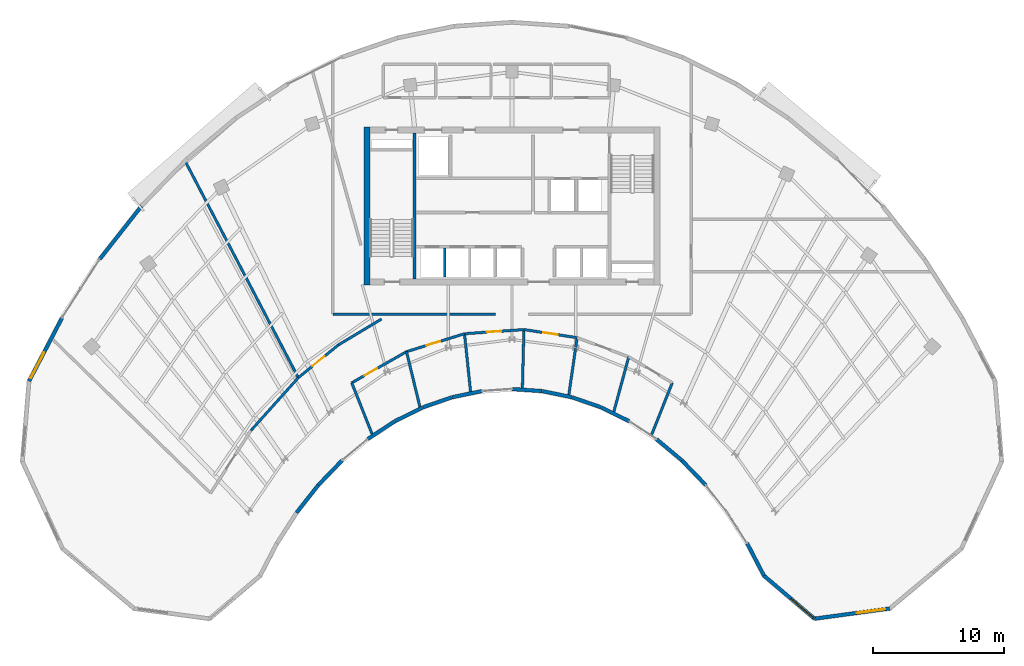
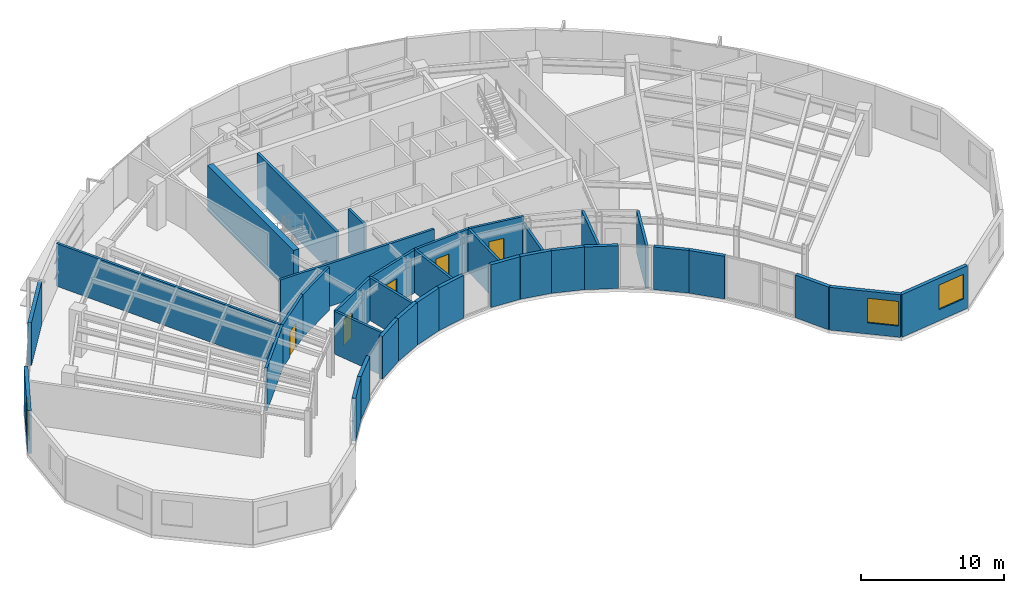
# One storey, part 8 of 13: 36 walls, 5 doors, 3 windows, 8 openings.
"""IFC4 building model written with IfcOpenShell, lengths in metres."""

import ifcopenshell
import ifcopenshell.guid

model = None  # the IFC model being written
_history = None  # IfcOwnerHistory: only IFC2X3 demands one
_inside = {}  # id of a spatial element -> (the spatial element, [elements in it])
_under = {}  # id of a project, library or spatial element -> (it, [spatial elements below it])
_declared = {}  # id of a project -> (the project, [libraries it declares])
_typed = {}  # id of a type object -> (the type object, [elements of that type])
_made_of = {}  # id of a material, layer set ... -> (it, [elements and type objects made of it])


def new_model(schema):
    """Start an empty IFC model of exactly this schema.

    Asked for "IFC4X3", IfcOpenShell would pick the latest addendum, in which some entities
    have other attributes; the version numbers below select the first issue.
    IFC2X3 requires an IfcOwnerHistory on every rooted entity: one is made here for all.
    """
    global model, _history
    if schema == "IFC4X3":
        model = ifcopenshell.file(schema_version=(4, 3, 0, 0))
    else:
        model = ifcopenshell.file(schema=schema)
    _inside.clear()
    _under.clear()
    _declared.clear()
    _typed.clear()
    _made_of.clear()
    _history = None
    if model.schema == "IFC2X3":
        org = make("IfcOrganization", Name="unknown")
        user = make(
            "IfcPersonAndOrganization",
            ThePerson=make("IfcPerson", FamilyName="unknown"),
            TheOrganization=org,
        )
        app = make(
            "IfcApplication",
            ApplicationDeveloper=org,
            Version="unknown",
            ApplicationFullName="unknown",
            ApplicationIdentifier="unknown",
        )
        _history = make(
            "IfcOwnerHistory",
            OwningUser=user,
            OwningApplication=app,
            ChangeAction="ADDED",
            CreationDate=0,
        )
    return model


def make(cls, **values):
    """One entity of the class cls with the attributes given. An attribute that is None is left unset."""
    return model.create_entity(
        cls, **{name: value for name, value in values.items() if value is not None}
    )


def rooted(cls, **values):
    """An entity with a GlobalId (a new one), such as an element, a storey or a relation."""
    return make(cls, GlobalId=ifcopenshell.guid.new(), OwnerHistory=_history, **values)


def si_unit(unit_type, name, prefix=None):
    """IfcSIUnit, for example si_unit("LENGTHUNIT", "METRE", prefix="MILLI")."""
    return make("IfcSIUnit", UnitType=unit_type, Prefix=prefix, Name=name)


def assignment(units):
    """IfcUnitAssignment: the units of a project."""
    return None if units is None else make("IfcUnitAssignment", Units=units)


def point(xyz):
    """IfcCartesianPoint."""
    return None if xyz is None else make("IfcCartesianPoint", Coordinates=xyz)


def direction(xyz):
    """IfcDirection."""
    return None if xyz is None else make("IfcDirection", DirectionRatios=xyz)


def frame(location, z_axis=None, x_axis=None):
    """IfcAxis2Placement3D, a coordinate frame: its origin and axes. An axis left out is left unset."""
    return make(
        "IfcAxis2Placement3D",
        Location=point(location),
        Axis=direction(z_axis),
        RefDirection=direction(x_axis),
    )


def frame_2d(location, x_axis=None):
    """IfcAxis2Placement2D, a coordinate frame in the plane: its origin and x axis."""
    return make(
        "IfcAxis2Placement2D", Location=point(location), RefDirection=direction(x_axis)
    )


def origin():
    """The frame at (0, 0, 0) with its axes left unset."""
    return frame((0.0, 0.0, 0.0))


def place(relative_to, where):
    """IfcLocalPlacement: puts the frame where relative to a parent placement (None: the world)."""
    return make(
        "IfcLocalPlacement", PlacementRelTo=relative_to, RelativePlacement=where
    )


def context(
    kind, dimensions, precision=None, world=None, true_north=None, identifier=None
):
    """IfcGeometricRepresentationContext, for example the 3D "Model" context."""
    return make(
        "IfcGeometricRepresentationContext",
        ContextIdentifier=identifier,
        ContextType=kind,
        CoordinateSpaceDimension=dimensions,
        Precision=precision,
        WorldCoordinateSystem=world,
        TrueNorth=true_north,
    )


def subcontext(parent, identifier, kind, view, scale=None):
    """IfcGeometricRepresentationSubContext, for example "Body" below "Model"."""
    return make(
        "IfcGeometricRepresentationSubContext",
        ContextIdentifier=identifier,
        ContextType=kind,
        ParentContext=parent,
        TargetScale=scale,
        TargetView=view,
    )


def project(units=None, contexts=None):
    """IfcProject with its units and contexts."""
    return rooted(
        "IfcProject",
        Name="project",
        RepresentationContexts=contexts,
        UnitsInContext=assignment(units),
    )


def spatial(cls, under=None, at=None, **own):
    """A site, building, storey or space (cls), placed at a placement, below another one or the project."""
    s = rooted(cls, ObjectPlacement=at, **own)
    if under is not None:
        _under.setdefault(under.id(), (under, []))[1].append(s)
    return s


def profile(cls, at=None, kind="AREA", **sizes):
    """A parametric profile (cls). Its sizes go by their IFC names, for example OverallWidth=200.0."""
    return make(cls, ProfileType=kind, Position=at, **sizes)


def rectangle(**sizes):
    """IfcRectangleProfileDef."""
    return profile("IfcRectangleProfileDef", **sizes)


def extrude(swept, where, along, depth):
    """IfcExtrudedAreaSolid: the profile swept, set in the frame where, extruded along a direction by depth."""
    return make(
        "IfcExtrudedAreaSolid",
        SweptArea=swept,
        Position=where,
        ExtrudedDirection=direction(along),
        Depth=depth,
    )


def shape(context_of_items, identifier, shape_type, items):
    """IfcShapeRepresentation: the items that make up one representation, for example the "Body"."""
    return make(
        "IfcShapeRepresentation",
        ContextOfItems=context_of_items,
        RepresentationIdentifier=identifier,
        RepresentationType=shape_type,
        Items=items,
    )


def source(mapping_origin, context_of_items, identifier, shape_type, items):
    """IfcRepresentationMap: a shape defined once, which mapped items show again and again."""
    return make(
        "IfcRepresentationMap",
        MappingOrigin=mapping_origin,
        MappedRepresentation=shape(context_of_items, identifier, shape_type, items),
    )


def transform(
    local_origin,
    x_axis=None,
    y_axis=None,
    z_axis=None,
    scale=None,
    scale2=None,
    scale3=None,
    uniform=True,
):
    """IfcCartesianTransformationOperator3D, or its non-uniform kind. x_axis, y_axis, z_axis: its Axis1, 2, 3."""
    if uniform:
        return make(
            "IfcCartesianTransformationOperator3D",
            Axis1=direction(x_axis),
            Axis2=direction(y_axis),
            LocalOrigin=point(local_origin),
            Scale=scale,
            Axis3=direction(z_axis),
        )
    return make(
        "IfcCartesianTransformationOperator3DnonUniform",
        Axis1=direction(x_axis),
        Axis2=direction(y_axis),
        LocalOrigin=point(local_origin),
        Scale=scale,
        Axis3=direction(z_axis),
        Scale2=scale2,
        Scale3=scale3,
    )


def mapped(mapping_source, mapping_target):
    """IfcMappedItem: shows the shape of a source again, moved by a transform."""
    return make(
        "IfcMappedItem", MappingSource=mapping_source, MappingTarget=mapping_target
    )


def material(Name=None, Category=None):
    """IfcMaterial."""
    return make("IfcMaterial", Name=Name, Category=Category)


def layer(
    of_material, thickness, ventilated=None, Name=None, Category=None, Priority=None
):
    """IfcMaterialLayer: one layer of a wall or slab, of a material (None: an air gap)."""
    return make(
        "IfcMaterialLayer",
        Material=of_material,
        LayerThickness=thickness,
        IsVentilated=ventilated,
        Name=Name,
        Category=Category,
        Priority=Priority,
    )


def layer_set(layers, Name=None):
    """IfcMaterialLayerSet."""
    return make("IfcMaterialLayerSet", MaterialLayers=layers, LayerSetName=Name)


def made_of(thing, what):
    """Note that an element or type object is made of a material, layer set ...; save() writes the relation."""
    if what is not None:
        _made_of.setdefault(what.id(), (what, []))[1].append(thing)
    return thing


def type_object(cls, material=None, **own):
    """A type object (cls), such as IfcWallType, which elements share."""
    return made_of(rooted(cls, **own), material)


def type_shapes(of_type, sources):
    """Give a type object the sources (RepresentationMaps) that its elements show as mapped items."""
    of_type.RepresentationMaps = sources


def element(
    cls,
    number,
    at=None,
    inside=None,
    cuts=None,
    type_object=None,
    material=None,
    context=None,
    identifier="Body",
    shape_type=None,
    held_by="IfcProductDefinitionShape",
    body=None,
    shapes=None,
    **own,
):
    """One element of the class cls, such as IfcWall. Its Tag is "e" and its number.

    at: its placement. inside: the storey or other place that contains it. cuts: it is an
    opening in that element (IfcRelVoidsElement). A single representation is given by context,
    identifier, shape_type and body (its items); several are given by shapes. held_by: the class
    of the entity that holds the representations. save() writes the other relations.
    """
    e = rooted(cls, Tag="e%d" % number, ObjectPlacement=at, **own)
    if body is not None:
        shapes = [shape(context, identifier, shape_type, body)]
    if shapes is not None:
        e.Representation = make(held_by, Representations=shapes)
    if inside is not None:
        _inside.setdefault(inside.id(), (inside, []))[1].append(e)
    if cuts is not None:
        rooted(
            "IfcRelVoidsElement", RelatingBuildingElement=cuts, RelatedOpeningElement=e
        )
    if type_object is not None:
        _typed.setdefault(type_object.id(), (type_object, []))[1].append(e)
    return made_of(e, material)


def fill(opening, filler):
    """IfcRelFillsElement: the door or window that sits in an opening."""
    return rooted(
        "IfcRelFillsElement",
        RelatingOpeningElement=opening,
        RelatedBuildingElement=filler,
    )


def aggregate(whole, parts):
    """IfcRelAggregates: a whole, such as a stair, and the parts it consists of."""
    return rooted("IfcRelAggregates", RelatingObject=whole, RelatedObjects=parts)


def save(model, path):
    """Write the relations noted so far, then the file.

    IfcRelAggregates (storeys below a building ...), IfcRelContainedInSpatialStructure (elements
    in a storey), IfcRelDefinesByType, IfcRelAssociatesMaterial and IfcRelDeclares: one each for
    every whole, place, type object, material and project.
    """
    for whole, parts in _under.values():
        aggregate(whole, parts)
    for where, things in _inside.values():
        rooted(
            "IfcRelContainedInSpatialStructure",
            RelatedElements=things,
            RelatingStructure=where,
        )
    for kind, things in _typed.values():
        rooted("IfcRelDefinesByType", RelatedObjects=things, RelatingType=kind)
    for what, things in _made_of.values():
        rooted("IfcRelAssociatesMaterial", RelatedObjects=things, RelatingMaterial=what)
    for by, libraries in _declared.values():
        rooted("IfcRelDeclares", RelatingContext=by, RelatedDefinitions=libraries)
    model.write(path)


model = new_model("IFC4")

# Units and contexts
model_context = context("Model", 3, precision=1e-05, world=origin(), true_north=direction((0.0, 1.0)))
body_context = subcontext(model_context, "Body", "Model", "MODEL_VIEW")
ifc_project = project(units=[si_unit("LENGTHUNIT", "METRE"), si_unit("AREAUNIT", "SQUARE_METRE"), si_unit("VOLUMEUNIT", "CUBIC_METRE"), si_unit("PLANEANGLEUNIT", "RADIAN"), si_unit("MASSUNIT", "GRAM", prefix="KILO")], contexts=[model_context])

# Site, building, storey
site_placement = place(None, origin())
site = spatial("IfcSite", under=ifc_project, at=site_placement, CompositionType="ELEMENT")
building_placement = place(site_placement, origin())
building = spatial("IfcBuilding", under=site, at=building_placement, Name="Breltana Convention Tower", CompositionType="ELEMENT")
storey_placement = place(building_placement, frame((0.0, 0.0, 223.5)))
storey = spatial("IfcBuildingStorey", under=building, at=storey_placement, Name="L54", CompositionType="ELEMENT", Elevation=223.5)

# Walls
ifc_material_1 = material(Name="Concrete C60/75", Category="concrete")
ifc_layer_1 = layer(ifc_material_1, 0.449951171875, Name="Concrete C60/75")
ifc_layer_set_1 = layer_set([ifc_layer_1], Name="Concrete C60/75")
wall_type_1 = type_object("IfcWallType", Name="SW-CORE-450", PredefinedType="SHEAR", material=ifc_layer_set_1)
shared_shape_1 = source(origin(), body_context, "Body", "SweptSolid", [
    extrude(rectangle(XDim=12.0, YDim=0.449951171875, at=frame_2d((6.0, 0.0))), origin(), (0.0, 0.0, 1.0), 3.89990234375),
])
wall_1_placement = place(storey_placement, frame((36.97509765625, 60.199951171875, 0.0), z_axis=(0.0, 0.0, 1.0), x_axis=(0.0, 1.0, 0.0)))
element("IfcWall", 1, at=wall_1_placement, inside=storey, type_object=wall_type_1, Name="L54 West Core Shear Wall", PredefinedType="SHEAR", context=body_context, shape_type="MappedRepresentation", body=[
    mapped(shared_shape_1, transform((0.0, 0.0, 0.0), scale=1.0)),
])
ifc_material_2 = material(Name="Concrete C50/60", Category="concrete")
ifc_layer_2 = layer(ifc_material_2, 0.39990234375, Name="Concrete C50/60")
ifc_layer_set_2 = layer_set([ifc_layer_2], Name="Concrete C50/60")
wall_type_2 = type_object("IfcWallType", Name="SW-CORE-400", PredefinedType="SHEAR", material=ifc_layer_set_2)
shared_shape_2 = source(origin(), body_context, "Body", "SweptSolid", [
    extrude(rectangle(XDim=11.10009765625, YDim=0.219970703125, at=frame_2d((5.550048828125, 0.0))), origin(), (0.0, 0.0, 1.0), 3.89990234375),
])
wall_2_placement = place(storey_placement, frame((40.580078125, 60.64990234375, 0.0), z_axis=(0.0, 0.0, 1.0), x_axis=(0.0, 1.0, 0.0)))
element("IfcWall", 2, at=wall_2_placement, inside=storey, type_object=wall_type_2, Name="L54 Core West Stair Spine Wall", PredefinedType="SHEAR", context=body_context, shape_type="MappedRepresentation", body=[
    mapped(shared_shape_2, transform((0.0, 0.0, 0.0), scale=1.0)),
])

# Wall, opening, window
ifc_material_3 = material(Name="Limestone Buff Insulated Wall", Category="masonry")
ifc_layer_3 = layer(ifc_material_3, 0.280029296875, Name="Limestone Buff Insulated Wall")
ifc_layer_set_3 = layer_set([ifc_layer_3], Name="Limestone Buff Insulated Wall")
wall_type_3 = type_object("IfcWallType", Name="WL-EXT-NOSE-280", PredefinedType="SOLIDWALL", material=ifc_layer_set_3)
shared_shape_3 = source(origin(), body_context, "Body", "SweptSolid", [
    extrude(rectangle(XDim=5.771240234375, YDim=0.280029296875, at=frame_2d((2.8857421875, 0.0))), origin(), (0.0, 0.0, 1.0), 3.639892578125),
])
wall_3_placement = place(storey_placement, frame((76.74951171875, 35.559814453125, 0.0), z_axis=(0.0, 0.0, 1.0), x_axis=(-0.990933615537, -0.134352408237, 0.0)))
wall_3 = element("IfcWall", 3, at=wall_3_placement, inside=storey, type_object=wall_type_3, Name="L54 curved limestone nose wall E4", PredefinedType="SOLIDWALL", context=body_context, shape_type="MappedRepresentation", body=[
    mapped(shared_shape_3, transform((0.0, 0.0, 0.0), scale=1.0)),
])
opening_1_placement = place(wall_3_placement, frame((0.343017578125, 0.0, 0.949951171875)))
opening_1 = element("IfcOpeningElement", 4, at=opening_1_placement, cuts=wall_3, Name="Opening W-03", PredefinedType="OPENING", context=body_context, shape_type="SweptSolid", body=[
    extrude(rectangle(XDim=2.199951171875, YDim=2.10009765625, at=frame_2d((1.10009765625, 1.050048828125))), frame((0.0, 0.14990234375, 0.0), z_axis=(0.0, -1.0, 0.0), x_axis=(1.0, 0.0, 0.0)), (0.0, 0.0, 1.0), 0.300048828125),
])
ifc_material_4 = material(Name="Glass Low-E Insulated Window", Category="glass")
window_type = type_object("IfcWindowType", Name="WN-NOSE-2200X2100", PartitioningType="TRIPLE_PANEL_VERTICAL", PredefinedType="WINDOW", material=ifc_material_4)
shared_shape_4 = source(origin(), body_context, "Body", "SweptSolid", [
    extrude(rectangle(XDim=2.199951171875, YDim=2.10009765625, at=frame_2d((1.10009765625, 1.050048828125))), frame((0.0, 0.030029296875, 0.0), z_axis=(0.0, -1.0, 0.0), x_axis=(1.0, 0.0, 0.0)), (0.0, 0.0, 1.0), 0.06005859375),
])
type_shapes(window_type, [shared_shape_4])
window_1_placement = place(opening_1_placement, origin())
window_1 = element("IfcWindow", 5, at=window_1_placement, inside=storey, type_object=window_type, Name="L54 nose window E4", OverallHeight=2.10009765625, OverallWidth=2.199951171875, PartitioningType="TRIPLE_PANEL_VERTICAL", PredefinedType="WINDOW", context=body_context, shape_type="MappedRepresentation", body=[
    mapped(shared_shape_4, transform((0.0, 0.0, 0.0), scale=1.0)),
])
fill(opening_1, window_1)

shared_shape_5 = source(origin(), body_context, "Body", "SweptSolid", [
    extrude(rectangle(XDim=5.051025390625, YDim=0.280029296875, at=frame_2d((2.525390625, 0.0))), origin(), (0.0, 0.0, 1.0), 3.639892578125),
])
wall_4_placement = place(storey_placement, frame((71.030517578125, 34.784423828125, 0.0), z_axis=(0.0, 0.0, 1.0), x_axis=(-0.761904731537, 0.647689107568, 0.0)))
wall_4 = element("IfcWall", 6, at=wall_4_placement, inside=storey, type_object=wall_type_3, Name="L54 curved limestone nose wall E5", PredefinedType="SOLIDWALL", context=body_context, shape_type="MappedRepresentation", body=[
    mapped(shared_shape_5, transform((0.0, 0.0, 0.0), scale=1.0)),
])
opening_2_placement = place(wall_4_placement, frame((0.16259765625, 0.0, 0.949951171875)))
opening_2 = element("IfcOpeningElement", 7, at=opening_2_placement, cuts=wall_4, Name="Opening W-03", PredefinedType="OPENING", context=body_context, shape_type="SweptSolid", body=[
    extrude(rectangle(XDim=2.199951171875, YDim=2.10009765625, at=frame_2d((1.10009765625, 1.050048828125))), frame((0.0, 0.14990234375, 0.0), z_axis=(0.0, -1.0, 0.0), x_axis=(1.0, 0.0, 0.0)), (0.0, 0.0, 1.0), 0.300048828125),
])
window_2_placement = place(opening_2_placement, origin())
window_2 = element("IfcWindow", 8, at=window_2_placement, inside=storey, type_object=window_type, Name="L54 nose window E5", OverallHeight=2.10009765625, OverallWidth=2.199951171875, PartitioningType="TRIPLE_PANEL_VERTICAL", PredefinedType="WINDOW", context=body_context, shape_type="MappedRepresentation", body=[
    mapped(shared_shape_4, transform((0.0, 0.0, 0.0), scale=1.0)),
])
fill(opening_2, window_2)

# Walls
shared_shape_6 = source(origin(), body_context, "Body", "SweptSolid", [
    extrude(rectangle(XDim=2.779296875, YDim=0.280029296875, at=frame_2d((1.3896484375, 0.0))), origin(), (0.0, 0.0, 1.0), 3.639892578125),
])
wall_5_placement = place(storey_placement, frame((67.18212890625, 38.055908203125, 0.0), z_axis=(0.0, 0.0, 1.0), x_axis=(-0.461770308601, 0.886999538948, 0.0)))
element("IfcWall", 9, at=wall_5_placement, inside=storey, type_object=wall_type_3, Name="L54 curved limestone nose wall E6", PredefinedType="SOLIDWALL", context=body_context, shape_type="MappedRepresentation", body=[
    mapped(shared_shape_6, transform((0.0, 0.0, 0.0), scale=1.0)),
])
shared_shape_7 = source(origin(), body_context, "Body", "SweptSolid", [
    extrude(rectangle(XDim=2.587646484375, YDim=0.280029296875, at=frame_2d((1.2939453125, 0.0))), origin(), (0.0, 0.0, 1.0), 3.639892578125),
])
for number, where, z_axis, x_axis, name in (
    (10, (62.739501953125, 44.96630859375, 0.0), (0.0, 0.0, 1.0), (-0.694687114507, 0.719312041424, 0.0), "L54 curved limestone nose wall E7"),
    (11, (35.05810546875, 46.82763671875, 0.0), (0.0, 0.0, 1.0), (-0.694687114507, -0.719312041424, 0.0), "L54 curved limestone nose wall E17"),
):
    element("IfcWall", number, at=place(storey_placement, frame(where, z_axis=z_axis, x_axis=x_axis)), inside=storey, type_object=wall_type_3, Name=name, PredefinedType="SOLIDWALL", context=body_context, shape_type="MappedRepresentation", body=[
        mapped(shared_shape_7, transform((0.0, 0.0, 0.0), scale=1.0)),
    ])
shared_shape_8 = source(origin(), body_context, "Body", "SweptSolid", [
    extrude(rectangle(XDim=2.51123046875, YDim=0.280029296875, at=frame_2d((1.255615234375, 0.0))), origin(), (0.0, 0.0, 1.0), 3.639892578125),
])
wall_6_placement = place(storey_placement, frame((60.927734375, 46.8408203125, 0.0), z_axis=(0.0, 0.0, 1.0), x_axis=(-0.767910416122, 0.640557251782, 0.0)))
element("IfcWall", 12, at=wall_6_placement, inside=storey, type_object=wall_type_3, Name="L54 curved limestone nose wall E8", PredefinedType="SOLIDWALL", context=body_context, shape_type="MappedRepresentation", body=[
    mapped(shared_shape_8, transform((0.0, 0.0, 0.0), scale=1.0)),
])
shared_shape_9 = source(origin(), body_context, "Body", "SweptSolid", [
    extrude(rectangle(XDim=2.440185546875, YDim=0.280029296875, at=frame_2d((1.22021484375, 0.0))), origin(), (0.0, 0.0, 1.0), 3.639892578125),
])
wall_7_placement = place(storey_placement, frame((39.05712890625, 49.80078125, 0.0), z_axis=(0.0, 0.0, 1.0), x_axis=(-0.83598480459, -0.548752591333, 0.0)))
element("IfcWall", 13, at=wall_7_placement, inside=storey, type_object=wall_type_3, Name="L54 curved limestone nose wall E16", PredefinedType="SOLIDWALL", context=body_context, shape_type="MappedRepresentation", body=[
    mapped(shared_shape_9, transform((0.0, 0.0, 0.0), scale=1.0)),
])
shared_shape_10 = source(origin(), body_context, "Body", "SweptSolid", [
    extrude(rectangle(XDim=2.327880859375, YDim=0.280029296875, at=frame_2d((1.1640625, 0.0))), origin(), (0.0, 0.0, 1.0), 3.639892578125),
])
for number, where, z_axis, x_axis, name in (
    (14, (54.7724609375, 50.87646484375, 0.0), (0.0, 0.0, 1.0), (-0.944872545641, 0.32743834915, 0.0), "L54 curved limestone nose wall E10"),
    (15, (43.427001953125, 51.638671875, 0.0), (0.0, 0.0, 1.0), (-0.944872545641, -0.32743834915, 0.0), "L54 curved limestone nose wall E14"),
):
    element("IfcWall", number, at=place(storey_placement, frame(where, z_axis=z_axis, x_axis=x_axis)), inside=storey, type_object=wall_type_3, Name=name, PredefinedType="SOLIDWALL", context=body_context, shape_type="MappedRepresentation", body=[
        mapped(shared_shape_10, transform((0.0, 0.0, 0.0), scale=1.0)),
    ])
shared_shape_11 = source(origin(), body_context, "Body", "SweptSolid", [
    extrude(rectangle(XDim=2.2919921875, YDim=0.280029296875, at=frame_2d((1.14599609375, 0.0))), origin(), (0.0, 0.0, 1.0), 3.639892578125),
])
for number, where, z_axis, x_axis, name in (
    (16, (52.55029296875, 51.64501953125, 0.0), (0.0, 0.0, 1.0), (-0.979635482689, 0.200784264963, 0.0), "L54 curved limestone nose wall E11"),
    (17, (45.695068359375, 52.105224609375, 0.0), (0.0, 0.0, 1.0), (-0.979635482689, -0.200784264963, 0.0), "L54 curved limestone nose wall E13"),
):
    element("IfcWall", number, at=place(storey_placement, frame(where, z_axis=z_axis, x_axis=x_axis)), inside=storey, type_object=wall_type_3, Name=name, PredefinedType="SOLIDWALL", context=body_context, shape_type="MappedRepresentation", body=[
        mapped(shared_shape_11, transform((0.0, 0.0, 0.0), scale=1.0)),
    ])
shared_shape_12 = source(origin(), body_context, "Body", "SweptSolid", [
    extrude(rectangle(XDim=2.27392578125, YDim=0.280029296875, at=frame_2d((1.136962890625, 0.0))), origin(), (0.0, 0.0, 1.0), 3.639892578125),
])
wall_8_placement = place(storey_placement, frame((50.281005859375, 52.108642578125, 0.0), z_axis=(0.0, 0.0, 1.0), x_axis=(-0.997702696995, 0.067744582138, 0.0)))
element("IfcWall", 18, at=wall_8_placement, inside=storey, type_object=wall_type_3, Name="L54 curved limestone nose wall E12", PredefinedType="SOLIDWALL", context=body_context, shape_type="MappedRepresentation", body=[
    mapped(shared_shape_12, transform((0.0, 0.0, 0.0), scale=1.0)),
])
shared_shape_13 = source(origin(), body_context, "Body", "SweptSolid", [
    extrude(rectangle(XDim=2.377685546875, YDim=0.280029296875, at=frame_2d((1.18896484375, 0.0))), origin(), (0.0, 0.0, 1.0), 3.639892578125),
])
for number, where, z_axis, x_axis, name in (
    (19, (56.923828125, 49.8115234375, 0.0), (0.0, 0.0, 1.0), (-0.895941616831, 0.444171835252, 0.0), "L54 curved limestone nose wall E9"),
    (20, (41.20654296875, 50.86767578125, 0.0), (0.0, 0.0, 1.0), (-0.895941616831, -0.444171835252, 0.0), "L54 curved limestone nose wall E15"),
):
    element("IfcWall", number, at=place(storey_placement, frame(where, z_axis=z_axis, x_axis=x_axis)), inside=storey, type_object=wall_type_3, Name=name, PredefinedType="SOLIDWALL", context=body_context, shape_type="MappedRepresentation", body=[
        mapped(shared_shape_13, transform((0.0, 0.0, 0.0), scale=1.0)),
    ])
shared_shape_14 = source(origin(), body_context, "Body", "SweptSolid", [
    extrude(rectangle(XDim=2.66552734375, YDim=0.280029296875, at=frame_2d((1.332763671875, 0.0))), origin(), (0.0, 0.0, 1.0), 3.639892578125),
])
wall_9_placement = place(storey_placement, frame((33.24853515625, 44.952392578125, 0.0), z_axis=(0.0, 0.0, 1.0), x_axis=(-0.618161284122, -0.786051287648, 0.0)))
element("IfcWall", 21, at=wall_9_placement, inside=storey, type_object=wall_type_3, Name="L54 curved limestone nose wall E18", PredefinedType="SOLIDWALL", context=body_context, shape_type="MappedRepresentation", body=[
    mapped(shared_shape_14, transform((0.0, 0.0, 0.0), scale=1.0)),
])

# Wall, opening, window
shared_shape_15 = source(origin(), body_context, "Body", "SweptSolid", [
    extrude(rectangle(XDim=5.41552734375, YDim=0.280029296875, at=frame_2d((2.707763671875, 0.0))), origin(), (0.0, 0.0, 1.0), 3.639892578125),
])
wall_10_placement = place(storey_placement, frame((11.243896484375, 52.87353515625, 0.0), z_axis=(0.0, 0.0, 1.0), x_axis=(0.46177852435, 0.886995261796, 0.0)))
wall_10 = element("IfcWall", 22, at=wall_10_placement, inside=storey, type_object=wall_type_3, Name="L54 curved limestone nose wall W7", PredefinedType="SOLIDWALL", context=body_context, shape_type="MappedRepresentation", body=[
    mapped(shared_shape_15, transform((0.0, 0.0, 0.0), scale=1.0)),
])
opening_3_placement = place(wall_10_placement, frame((0.25390625, 0.0, 0.949951171875)))
opening_3 = element("IfcOpeningElement", 23, at=opening_3_placement, cuts=wall_10, Name="Opening W-03", PredefinedType="OPENING", context=body_context, shape_type="SweptSolid", body=[
    extrude(rectangle(XDim=2.199951171875, YDim=2.10009765625, at=frame_2d((1.10009765625, 1.050048828125))), frame((0.0, 0.14990234375, 0.0), z_axis=(0.0, -1.0, 0.0), x_axis=(1.0, 0.0, 0.0)), (0.0, 0.0, 1.0), 0.300048828125),
])
window_3_placement = place(opening_3_placement, origin())
window_3 = element("IfcWindow", 24, at=window_3_placement, inside=storey, type_object=window_type, Name="L54 nose window W7", OverallHeight=2.10009765625, OverallWidth=2.199951171875, PartitioningType="TRIPLE_PANEL_VERTICAL", PredefinedType="WINDOW", context=body_context, shape_type="MappedRepresentation", body=[
    mapped(shared_shape_4, transform((0.0, 0.0, 0.0), scale=1.0)),
])
fill(opening_3, window_3)

# Walls
shared_shape_16 = source(origin(), body_context, "Body", "SweptSolid", [
    extrude(rectangle(XDim=5.153076171875, YDim=0.280029296875, at=frame_2d((2.57666015625, 0.0))), origin(), (0.0, 0.0, 1.0), 3.639892578125),
])
wall_11_placement = place(storey_placement, frame((16.609130859375, 62.1396484375, 0.0), z_axis=(0.0, 0.0, 1.0), x_axis=(0.618179283891, 0.786037132054, 0.0)))
element("IfcWall", 25, at=wall_11_placement, inside=storey, type_object=wall_type_3, Name="L54 curved limestone nose wall E20", PredefinedType="SOLIDWALL", context=body_context, shape_type="MappedRepresentation", body=[
    mapped(shared_shape_16, transform((0.0, 0.0, 0.0), scale=1.0)),
])
ifc_material_5 = material(Name="Autoclaved Aerated Concrete Block", Category="concrete")
ifc_layer_4 = layer(ifc_material_5, 0.199951171875, Name="Autoclaved Aerated Concrete Block")
ifc_layer_set_4 = layer_set([ifc_layer_4], Name="Autoclaved Aerated Concrete Block")
wall_type_4 = type_object("IfcWallType", Name="WL-SHAFT-200", PredefinedType="SOLIDWALL", material=ifc_layer_set_4)
shared_shape_17 = source(origin(), body_context, "Body", "SweptSolid", [
    extrude(rectangle(XDim=2.199951171875, YDim=0.199951171875, at=frame_2d((1.10009765625, 0.0))), origin(), (0.0, 0.0, 1.0), 3.639892578125),
])
wall_12_placement = place(storey_placement, frame((42.8701171875, 60.800048828125, 0.0), z_axis=(0.0, 0.0, 1.0), x_axis=(0.0, 1.0, 0.0)))
element("IfcWall", 26, at=wall_12_placement, inside=storey, type_object=wall_type_4, Name="L54 interior partition W-L54-SH-S-DIV1", PredefinedType="SOLIDWALL", context=body_context, shape_type="MappedRepresentation", body=[
    mapped(shared_shape_17, transform((0.0, 0.0, 0.0), scale=1.0)),
])
ifc_material_6 = material(Name="Gypsum Acoustic Hotel Wall")
ifc_layer_5 = layer(ifc_material_6, 0.195068359375, Name="Gypsum Acoustic Hotel Wall")
ifc_layer_set_5 = layer_set([ifc_layer_5], Name="Gypsum Acoustic Hotel Wall")
wall_type_5 = type_object("IfcWallType", Name="WL-HOTEL-200", PredefinedType="PARTITIONING", material=ifc_layer_set_5)
shared_shape_18 = source(origin(), body_context, "Body", "SweptSolid", [
    extrude(rectangle(XDim=4.515869140625, YDim=0.195068359375, at=frame_2d((2.2578125, 0.0))), origin(), (0.0, 0.0, 1.0), 3.0849609375),
])
wall_13_placement = place(storey_placement, frame((52.30908203125, 51.70458984375, 0.0), z_axis=(0.0, 0.0, 1.0), x_axis=(0.143540347267, 0.989644465809, 0.0)))
element("IfcWall", 27, at=wall_13_placement, inside=storey, type_object=wall_type_5, Name="L54 interior partition W-L54-ES4-RB", PredefinedType="PARTITIONING", context=body_context, shape_type="MappedRepresentation", body=[
    mapped(shared_shape_18, transform((0.0, 0.0, 0.0), scale=1.0)),
])

# Wall, opening, door
shared_shape_19 = source(origin(), body_context, "Body", "SweptSolid", [
    extrude(rectangle(XDim=4.7958984375, YDim=0.195068359375, at=frame_2d((2.39794921875, 0.0))), origin(), (0.0, 0.0, 1.0), 3.639892578125),
])
wall_14_placement = place(storey_placement, frame((35.802978515625, 52.73828125, 0.0), z_axis=(0.0, 0.0, 1.0), x_axis=(0.869231352707, 0.494405557686, 0.0)))
wall_14 = element("IfcWall", 28, at=wall_14_placement, inside=storey, type_object=wall_type_5, Name="L54 interior partition W-L54-ES1-COR", PredefinedType="PARTITIONING", context=body_context, shape_type="MappedRepresentation", body=[
    mapped(shared_shape_19, transform((0.0, 0.0, 0.0), scale=1.0)),
])
opening_4_placement = place(wall_14_placement, frame((1.097900390625, 0.0, 0.0)))
opening_4 = element("IfcOpeningElement", 29, at=opening_4_placement, cuts=wall_14, Name="Opening D-12", PredefinedType="OPENING", context=body_context, shape_type="SweptSolid", body=[
    extrude(rectangle(XDim=1.10009765625, YDim=2.14990234375, at=frame_2d((0.550048828125, 1.074951171875))), frame((0.0, 0.107421875, 0.0), z_axis=(0.0, -1.0, 0.0), x_axis=(1.0, 0.0, 0.0)), (0.0, 0.0, 1.0), 0.215087890625),
])
ifc_material_7 = material(Name="Timber Oak Acoustic Door", Category="wood")
door_type_1 = type_object("IfcDoorType", Name="DR-INT-1100", OperationType="NOTDEFINED", PredefinedType="DOOR", material=ifc_material_7)
shared_shape_20 = source(origin(), body_context, "Body", "SweptSolid", [
    extrude(rectangle(XDim=1.10009765625, YDim=2.14990234375, at=frame_2d((0.550048828125, 1.074951171875))), frame((0.0, 0.02490234375, 0.0), z_axis=(0.0, -1.0, 0.0), x_axis=(1.0, 0.0, 0.0)), (0.0, 0.0, 1.0), 0.050048828125),
])
type_shapes(door_type_1, [shared_shape_20])
door_1_placement = place(opening_4_placement, origin())
door_1 = element("IfcDoor", 30, at=door_1_placement, inside=storey, type_object=door_type_1, Name="L54 interior door D-L54-ES1", OperationType="SINGLE_SWING_RIGHT", OverallHeight=2.14990234375, OverallWidth=1.10009765625, PredefinedType="DOOR", context=body_context, shape_type="MappedRepresentation", body=[
    mapped(shared_shape_20, transform((0.0, 0.0, 0.0), scale=1.0)),
])
fill(opening_4, door_1)

# Walls
shared_shape_21 = source(origin(), body_context, "Body", "SweptSolid", [
    extrude(rectangle(XDim=4.3203125, YDim=0.195068359375, at=frame_2d((2.16015625, 0.0))), origin(), (0.0, 0.0, 1.0), 3.639892578125),
])
for number, where, z_axis, x_axis, name in (
    (31, (37.396484375, 48.72265625, 0.0), (0.0, 0.0, 1.0), (-0.368846295269, 0.929490403644, 0.0), "L54 interior partition W-L54-ES1-RA"),
    (32, (58.603515625, 48.72265625, 0.0), (0.0, 0.0, 1.0), (0.368846295269, 0.929490403644, 0.0), "L54 interior partition W-L54-ES6-RB"),
):
    element("IfcWall", number, at=place(storey_placement, frame(where, z_axis=z_axis, x_axis=x_axis)), inside=storey, type_object=wall_type_5, Name=name, PredefinedType="PARTITIONING", context=body_context, shape_type="MappedRepresentation", body=[
        mapped(shared_shape_21, transform((0.0, 0.0, 0.0), scale=1.0)),
    ])
shared_shape_22 = source(origin(), body_context, "Body", "SweptSolid", [
    extrude(rectangle(XDim=4.4482421875, YDim=0.195068359375, at=frame_2d((2.22412109375, 0.0))), origin(), (0.0, 0.0, 1.0), 3.639892578125),
])
wall_15_placement = place(storey_placement, frame((41.02001953125, 50.786376953125, 0.0), z_axis=(0.0, 0.0, 1.0), x_axis=(-0.235672283469, 0.971832585791, 0.0)))
element("IfcWall", 33, at=wall_15_placement, inside=storey, type_object=wall_type_5, Name="L54 interior partition W-L54-ES1-RB", PredefinedType="PARTITIONING", context=body_context, shape_type="MappedRepresentation", body=[
    mapped(shared_shape_22, transform((0.0, 0.0, 0.0), scale=1.0)),
])

# Wall, opening, door
shared_shape_23 = source(origin(), body_context, "Body", "SweptSolid", [
    extrude(rectangle(XDim=4.618896484375, YDim=0.195068359375, at=frame_2d((2.3095703125, 0.0))), origin(), (0.0, 0.0, 1.0), 3.639892578125),
])
wall_16_placement = place(storey_placement, frame((39.9716796875, 55.109375, 0.0), z_axis=(0.0, 0.0, 1.0), x_axis=(0.955335644135, 0.295522938274, 0.0)))
wall_16 = element("IfcWall", 34, at=wall_16_placement, inside=storey, type_object=wall_type_5, Name="L54 interior partition W-L54-ES2-COR", PredefinedType="PARTITIONING", context=body_context, shape_type="MappedRepresentation", body=[
    mapped(shared_shape_23, transform((0.0, 0.0, 0.0), scale=1.0)),
])
opening_5_placement = place(wall_16_placement, frame((1.5595703125, 0.0, 0.0)))
opening_5 = element("IfcOpeningElement", 35, at=opening_5_placement, cuts=wall_16, Name="Opening D-12", PredefinedType="OPENING", context=body_context, shape_type="SweptSolid", body=[
    extrude(rectangle(XDim=1.10009765625, YDim=2.14990234375, at=frame_2d((0.550048828125, 1.074951171875))), frame((0.0, 0.107421875, 0.0), z_axis=(0.0, -1.0, 0.0), x_axis=(1.0, 0.0, 0.0)), (0.0, 0.0, 1.0), 0.215087890625),
])
door_2_placement = place(opening_5_placement, origin())
door_2 = element("IfcDoor", 36, at=door_2_placement, inside=storey, type_object=door_type_1, Name="L54 interior door D-L54-ES2", OperationType="SINGLE_SWING_LEFT", OverallHeight=2.14990234375, OverallWidth=1.10009765625, PredefinedType="DOOR", context=body_context, shape_type="MappedRepresentation", body=[
    mapped(shared_shape_20, transform((0.0, 0.0, 0.0), scale=1.0)),
])
fill(opening_5, door_2)

# Wall
shared_shape_24 = source(origin(), body_context, "Body", "SweptSolid", [
    extrude(rectangle(XDim=4.55517578125, YDim=0.195068359375, at=frame_2d((2.277587890625, 0.0))), origin(), (0.0, 0.0, 1.0), 3.639892578125),
])
wall_17_placement = place(storey_placement, frame((44.859375, 51.944091796875, 0.0), z_axis=(0.0, 0.0, 1.0), x_axis=(-0.104299759329, 0.994545906534, 0.0)))
element("IfcWall", 37, at=wall_17_placement, inside=storey, type_object=wall_type_5, Name="L54 interior partition W-L54-ES2-RB", PredefinedType="PARTITIONING", context=body_context, shape_type="MappedRepresentation", body=[
    mapped(shared_shape_24, transform((0.0, 0.0, 0.0), scale=1.0)),
])

# Wall, opening, door
shared_shape_25 = source(origin(), body_context, "Body", "SweptSolid", [
    extrude(rectangle(XDim=4.53369140625, YDim=0.195068359375, at=frame_2d((2.266845703125, 0.0))), origin(), (0.0, 0.0, 1.0), 3.639892578125),
])
wall_18_placement = place(storey_placement, frame((44.38427734375, 56.474365234375, 0.0), z_axis=(0.0, 0.0, 1.0), x_axis=(0.997542735031, 0.070060629361, 0.0)))
wall_18 = element("IfcWall", 38, at=wall_18_placement, inside=storey, type_object=wall_type_5, Name="L54 interior partition W-L54-ES3-COR", PredefinedType="PARTITIONING", context=body_context, shape_type="MappedRepresentation", body=[
    mapped(shared_shape_25, transform((0.0, 0.0, 0.0), scale=1.0)),
])
opening_6_placement = place(wall_18_placement, frame((1.716796875, 0.0, 0.0)))
opening_6 = element("IfcOpeningElement", 39, at=opening_6_placement, cuts=wall_18, Name="Opening D-12", PredefinedType="OPENING", context=body_context, shape_type="SweptSolid", body=[
    extrude(rectangle(XDim=1.10009765625, YDim=2.14990234375, at=frame_2d((0.550048828125, 1.074951171875))), frame((0.0, 0.107421875, 0.0), z_axis=(0.0, -1.0, 0.0), x_axis=(1.0, 0.0, 0.0)), (0.0, 0.0, 1.0), 0.215087890625),
])
door_3_placement = place(opening_6_placement, origin())
door_3 = element("IfcDoor", 40, at=door_3_placement, inside=storey, type_object=door_type_1, Name="L54 interior door D-L54-ES3", OperationType="SINGLE_SWING_RIGHT", OverallHeight=2.14990234375, OverallWidth=1.10009765625, PredefinedType="DOOR", context=body_context, shape_type="MappedRepresentation", body=[
    mapped(shared_shape_20, transform((0.0, 0.0, 0.0), scale=1.0)),
])
fill(opening_6, door_3)

# Wall
shared_shape_26 = source(origin(), body_context, "Body", "SweptSolid", [
    extrude(rectangle(XDim=4.573486328125, YDim=0.195068359375, at=frame_2d((2.28662109375, 0.0))), origin(), (0.0, 0.0, 1.0), 3.639892578125),
])
wall_19_placement = place(storey_placement, frame((48.78759765625, 52.219970703125, 0.0), z_axis=(0.0, 0.0, 1.0), x_axis=(0.026049788838, 0.99966064667, 0.0)))
element("IfcWall", 41, at=wall_19_placement, inside=storey, type_object=wall_type_5, Name="L54 interior partition W-L54-ES3-RB", PredefinedType="PARTITIONING", context=body_context, shape_type="MappedRepresentation", body=[
    mapped(shared_shape_26, transform((0.0, 0.0, 0.0), scale=1.0)),
])

# Wall, opening, door
shared_shape_27 = source(origin(), body_context, "Body", "SweptSolid", [
    extrude(rectangle(XDim=4.097412109375, YDim=0.195068359375, at=frame_2d((2.048828125, 0.0))), origin(), (0.0, 0.0, 1.0), 3.639892578125),
])
wall_20_placement = place(storey_placement, frame((48.90673828125, 56.7919921875, 0.0), z_axis=(0.0, 0.0, 1.0), x_axis=(0.988545320847, -0.150924314249, 0.0)))
wall_20 = element("IfcWall", 42, at=wall_20_placement, inside=storey, type_object=wall_type_5, Name="L54 interior partition W-L54-ES4-COR", PredefinedType="PARTITIONING", context=body_context, shape_type="MappedRepresentation", body=[
    mapped(shared_shape_27, transform((0.0, 0.0, 0.0), scale=1.0)),
])
opening_7_placement = place(wall_20_placement, frame((1.498779296875, 0.0, 0.0)))
opening_7 = element("IfcOpeningElement", 43, at=opening_7_placement, cuts=wall_20, Name="Opening D-12", PredefinedType="OPENING", context=body_context, shape_type="SweptSolid", body=[
    extrude(rectangle(XDim=1.10009765625, YDim=2.14990234375, at=frame_2d((0.550048828125, 1.074951171875))), frame((0.0, 0.107421875, 0.0), z_axis=(0.0, -1.0, 0.0), x_axis=(1.0, 0.0, 0.0)), (0.0, 0.0, 1.0), 0.215087890625),
])
door_4_placement = place(opening_7_placement, origin())
door_4 = element("IfcDoor", 44, at=door_4_placement, inside=storey, type_object=door_type_1, Name="L54 interior door D-L54-ES4", OperationType="SINGLE_SWING_LEFT", OverallHeight=2.14990234375, OverallWidth=1.10009765625, PredefinedType="DOOR", context=body_context, shape_type="MappedRepresentation", body=[
    mapped(shared_shape_20, transform((0.0, 0.0, 0.0), scale=1.0)),
])
fill(opening_7, door_4)

# Walls
shared_shape_28 = source(origin(), body_context, "Body", "SweptSolid", [
    extrude(rectangle(XDim=4.44921875, YDim=0.195068359375, at=frame_2d((2.224609375, 0.0))), origin(), (0.0, 0.0, 1.0), 3.639892578125),
])
wall_21_placement = place(storey_placement, frame((55.719482421875, 50.419921875, 0.0), z_axis=(0.0, 0.0, 1.0), x_axis=(0.262123660516, 0.965034292965, 0.0)))
element("IfcWall", 45, at=wall_21_placement, inside=storey, type_object=wall_type_5, Name="L54 interior partition W-L54-ES5-RB", PredefinedType="PARTITIONING", context=body_context, shape_type="MappedRepresentation", body=[
    mapped(shared_shape_28, transform((0.0, 0.0, 0.0), scale=1.0)),
])
shared_shape_29 = source(origin(), body_context, "Body", "SweptSolid", [
    extrude(rectangle(XDim=5.406982421875, YDim=0.195068359375, at=frame_2d((2.70361328125, 0.0))), origin(), (0.0, 0.0, 1.0), 3.639892578125),
])
wall_22_placement = place(storey_placement, frame((28.122314453125, 49.105224609375, 0.0), z_axis=(0.0, 0.0, 1.0), x_axis=(0.667851383423, 0.744294652447, 0.0)))
element("IfcWall", 46, at=wall_22_placement, inside=storey, type_object=wall_type_5, Name="L54 interior partition W-L54-EXWR1-COR2", PredefinedType="PARTITIONING", context=body_context, shape_type="MappedRepresentation", body=[
    mapped(shared_shape_29, transform((0.0, 0.0, 0.0), scale=1.0)),
])
shared_shape_30 = source(origin(), body_context, "Body", "SweptSolid", [
    extrude(rectangle(XDim=18.5537109375, YDim=0.195068359375, at=frame_2d((9.27685546875, 0.0))), origin(), (0.0, 0.0, 1.0), 3.639892578125),
])
wall_23_placement = place(storey_placement, frame((31.71044921875, 53.173583984375, 0.0), z_axis=(0.0, 0.0, 1.0), x_axis=(-0.463116799203, 0.886297258427, 0.0)))
element("IfcWall", 47, at=wall_23_placement, inside=storey, type_object=wall_type_5, Name="L54 interior partition W-L54-EXWR1-RB", PredefinedType="PARTITIONING", context=body_context, shape_type="MappedRepresentation", body=[
    mapped(shared_shape_30, transform((0.0, 0.0, 0.0), scale=1.0)),
])

# Wall, opening, door
shared_shape_31 = source(origin(), body_context, "Body", "SweptSolid", [
    extrude(rectangle(XDim=3.9541015625, YDim=0.195068359375, at=frame_2d((1.97705078125, 0.0))), origin(), (0.0, 0.0, 1.0), 3.639892578125),
])
wall_24_placement = place(storey_placement, frame((31.7333984375, 53.129638671875, 0.0), z_axis=(0.0, 0.0, 1.0), x_axis=(0.774345047596, 0.632763579281, 0.0)))
wall_24 = element("IfcWall", 48, at=wall_24_placement, inside=storey, type_object=wall_type_5, Name="L54 interior partition W-L54-EXWR2-COR1", PredefinedType="PARTITIONING", context=body_context, shape_type="MappedRepresentation", body=[
    mapped(shared_shape_31, transform((0.0, 0.0, 0.0), scale=1.0)),
])
opening_8_placement = place(wall_24_placement, frame((1.376953125, 0.0, 0.0)))
opening_8 = element("IfcOpeningElement", 49, at=opening_8_placement, cuts=wall_24, Name="Opening D-10", PredefinedType="OPENING", context=body_context, shape_type="SweptSolid", body=[
    extrude(rectangle(XDim=1.199951171875, YDim=2.14990234375, at=frame_2d((0.60009765625, 1.074951171875))), frame((0.0, 0.107421875, 0.0), z_axis=(0.0, -1.0, 0.0), x_axis=(1.0, 0.0, 0.0)), (0.0, 0.0, 1.0), 0.215087890625),
])
ifc_material_8 = material(Name="Timber Oak Veneer Fire Door", Category="wood")
door_type_2 = type_object("IfcDoorType", Name="DR-INT-1200", OperationType="NOTDEFINED", PredefinedType="DOOR", material=ifc_material_8)
shared_shape_32 = source(origin(), body_context, "Body", "SweptSolid", [
    extrude(rectangle(XDim=1.199951171875, YDim=2.14990234375, at=frame_2d((0.60009765625, 1.074951171875))), frame((0.0, 0.02490234375, 0.0), z_axis=(0.0, -1.0, 0.0), x_axis=(1.0, 0.0, 0.0)), (0.0, 0.0, 1.0), 0.050048828125),
])
type_shapes(door_type_2, [shared_shape_32])
door_5_placement = place(opening_8_placement, origin())
door_5 = element("IfcDoor", 50, at=door_5_placement, inside=storey, type_object=door_type_2, Name="L54 interior door D-L54-EXWR2", OperationType="SINGLE_SWING_LEFT", OverallHeight=2.14990234375, OverallWidth=1.199951171875, PredefinedType="DOOR", context=body_context, shape_type="MappedRepresentation", body=[
    mapped(shared_shape_32, transform((0.0, 0.0, 0.0), scale=1.0)),
])
fill(opening_8, door_5)

# Walls
shared_shape_33 = source(origin(), body_context, "Body", "SweptSolid", [
    extrude(rectangle(XDim=3.817138671875, YDim=0.195068359375, at=frame_2d((1.90869140625, 0.0))), origin(), (0.0, 0.0, 1.0), 3.639892578125),
])
wall_25_placement = place(storey_placement, frame((34.795166015625, 55.631591796875, 0.0), z_axis=(0.0, 0.0, 1.0), x_axis=(0.857453418218, 0.514561595522, 0.0)))
element("IfcWall", 51, at=wall_25_placement, inside=storey, type_object=wall_type_5, Name="L54 interior partition W-L54-EXWR2-COR2", PredefinedType="PARTITIONING", context=body_context, shape_type="MappedRepresentation", body=[
    mapped(shared_shape_33, transform((0.0, 0.0, 0.0), scale=1.0)),
])
shared_shape_34 = source(origin(), body_context, "Body", "SweptSolid", [
    extrude(rectangle(XDim=12.389892578125, YDim=0.195068359375, at=frame_2d((6.19482421875, 0.0))), origin(), (0.0, 0.0, 1.0), 3.639892578125),
])
wall_26_placement = place(storey_placement, frame((34.360107421875, 57.9599609375, 0.0), z_axis=(0.0, 0.0, 1.0), x_axis=(1.0, 0.0, 0.0)))
element("IfcWall", 52, at=wall_26_placement, inside=storey, type_object=wall_type_5, Name="L54 interior partition W-L54-Z45-CSW", PredefinedType="PARTITIONING", context=body_context, shape_type="MappedRepresentation", body=[
    mapped(shared_shape_34, transform((0.0, 0.0, 0.0), scale=1.0)),
])

save(model, "model.ifc")
